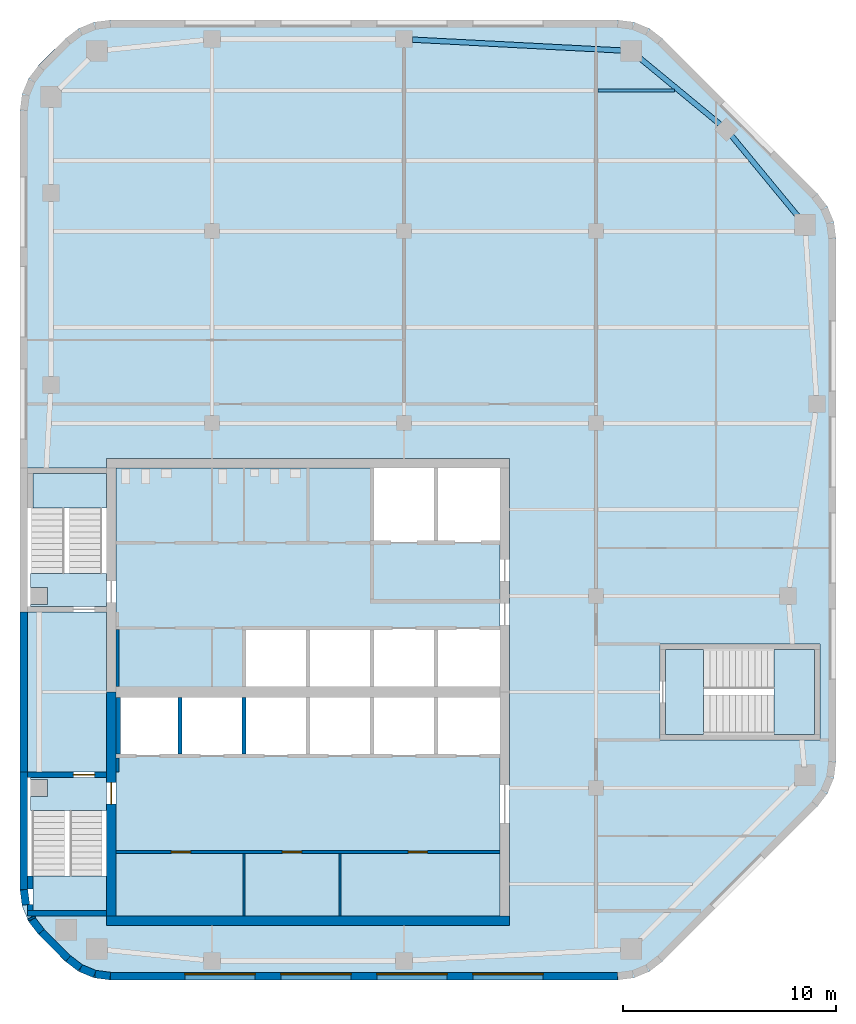
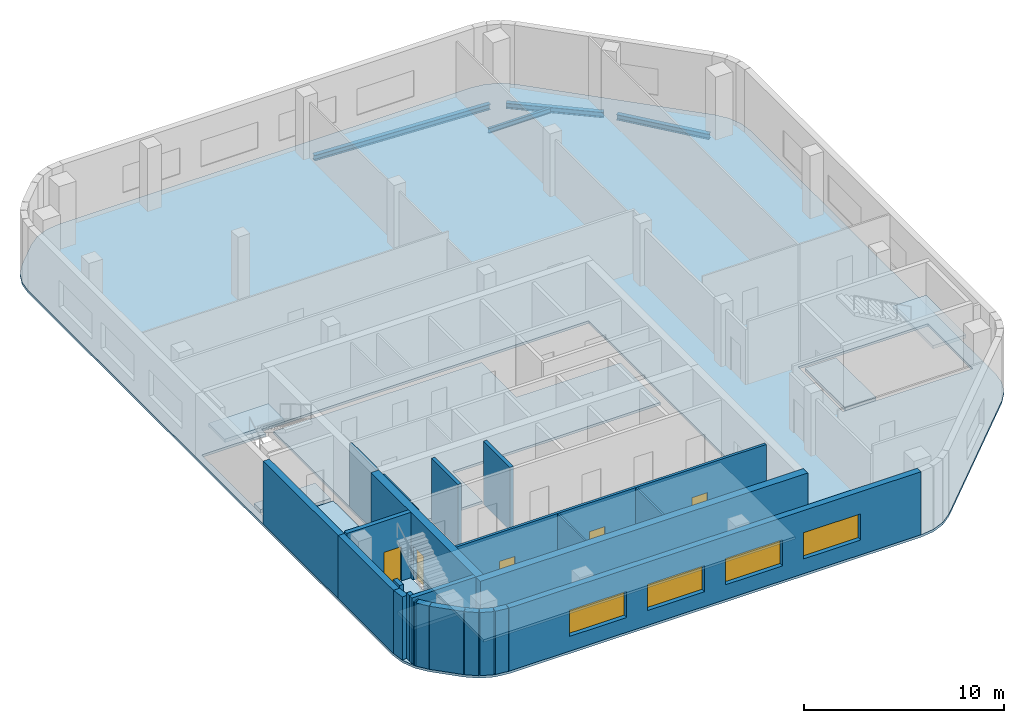
# One storey, part 2 of 7: 24 walls, 9 slabs, 5 doors, 4 beams, 4 windows, 9 openings, 3 elements without a shape of their own.
"""IFC4 building model written with IfcOpenShell, lengths in metres."""

from ifc_helpers import new_model, si_unit, direction, frame, frame_2d, origin, origin_2d, place, context, subcontext, project, spatial, polyline, rectangle, i_section, outline, extrude, material, layer, layer_set, material_profile, profile_set, type_object, element, fill, aggregate, save


model = new_model("IFC4")

# Units and contexts
model_context = context("Model", 3, precision=1e-05, world=origin(), true_north=direction((0.0, 1.0)))
body_context = subcontext(model_context, "Body", "Model", "MODEL_VIEW")
ifc_project = project(units=[si_unit("LENGTHUNIT", "METRE"), si_unit("AREAUNIT", "SQUARE_METRE"), si_unit("VOLUMEUNIT", "CUBIC_METRE"), si_unit("PLANEANGLEUNIT", "RADIAN"), si_unit("MASSUNIT", "GRAM", prefix="KILO")], contexts=[model_context])

# Site, building, storey
site_placement = place(None, origin())
site = spatial("IfcSite", under=ifc_project, at=site_placement, CompositionType="ELEMENT")
building_placement = place(site_placement, origin())
building = spatial("IfcBuilding", under=site, at=building_placement, Name="Cinnabar Reach Civic Tower", CompositionType="ELEMENT")
storey_placement = place(building_placement, frame((0.0, 0.0, 251.0)))
storey = spatial("IfcBuildingStorey", under=building, at=storey_placement, Name="L60", CompositionType="ELEMENT", Elevation=251.0)

# Beams
ifc_material_1 = material(Name="Steel Q355B", Category="steel")
ifc_material_profile_1 = material_profile(ifc_material_1, i_section(OverallWidth=0.25, OverallDepth=0.34, WebThickness=0.009, FlangeThickness=0.014, FilletRadius=0.013, at=origin_2d()), Name="HM340x250x9x14")
ifc_profile_set_1 = profile_set([ifc_material_profile_1], Name="Steel Q355B")
beam_type_1 = type_object("IfcBeamType", Name="HM340x250x9x14 beam R 180", PredefinedType="BEAM", material=ifc_profile_set_1)
for number, where, z_axis, x_axis, name in (
    (1, (36.4818, 53.7801, -0.32), (-0.636303312762, 0.771438976309, 0.0), (-0.771438976309, -0.636303312762, 0.0), "Edge beam T1 L60 9"),
    (2, (32.8486, 58.0822, -0.32), (-0.771438976309, 0.636303312762, 0.0), (-0.636303312762, -0.771438976309, 0.0), "Edge beam T1 L60 10"),
):
    element("IfcBeam", number, at=place(storey_placement, frame(where, z_axis=z_axis, x_axis=x_axis)), inside=storey, type_object=beam_type_1, Name=name, PredefinedType="BEAM", context=body_context, shape_type="SweptSolid", body=[
        extrude(i_section(OverallWidth=0.25, OverallDepth=0.34, WebThickness=0.009, FlangeThickness=0.014, FilletRadius=0.013, at=origin_2d()), origin(), (0.0, 0.0, 1.0), 4.9498),
    ])
beam_1_placement = place(storey_placement, frame((28.2661, 61.5667, -0.32), z_axis=(-0.998653533726, 0.051876001934, 0.0), x_axis=(-0.051876001934, -0.998653533726, 0.0)))
element("IfcBeam", 3, at=beam_1_placement, inside=storey, type_object=beam_type_1, Name="Edge beam T1 L60 11", PredefinedType="BEAM", context=body_context, shape_type="SweptSolid", body=[
    extrude(i_section(OverallWidth=0.25, OverallDepth=0.34, WebThickness=0.009, FlangeThickness=0.014, FilletRadius=0.013, at=origin_2d()), origin(), (0.0, 0.0, 1.0), 9.8774),
])
ifc_material_profile_2 = material_profile(ifc_material_1, i_section(OverallWidth=0.15, OverallDepth=0.3, WebThickness=0.0065, FlangeThickness=0.009, FilletRadius=0.013, at=origin_2d()), Name="HN300x150x6.5x9")
ifc_profile_set_2 = profile_set([ifc_material_profile_2], Name="Steel Q355B")
beam_type_2 = type_object("IfcBeamType", Name="HN300x150x6.5x9 beam R 180", PredefinedType="BEAM", material=ifc_profile_set_2)
beam_2_placement = place(storey_placement, frame((27.102, 59.7, -0.3), z_axis=(1.0, 0.0, 0.0), x_axis=(0.0, 1.0, 0.0)))
element("IfcBeam", 4, at=beam_2_placement, inside=storey, type_object=beam_type_2, Name="Secondary beam T1 L60 19", PredefinedType="BEAM", context=body_context, shape_type="SweptSolid", body=[
    extrude(i_section(OverallWidth=0.15, OverallDepth=0.3, WebThickness=0.0065, FlangeThickness=0.009, FilletRadius=0.013, at=origin_2d()), origin(), (0.0, 0.0, 1.0), 3.5856),
])

# Slab
ifc_material_2 = material(Name="Concrete C40", Category="concrete")
ifc_layer_1 = layer(ifc_material_2, 0.15)
ifc_layer_set_1 = layer_set([ifc_layer_1], Name="Composite floor slab 150 REI 150")
slab_type_1 = type_object("IfcSlabType", Name="Composite floor slab 150 REI 150", PredefinedType="FLOOR", material=ifc_layer_set_1)
slab_1_placement = place(storey_placement, frame((0.0, 0.0, -0.15)))
element("IfcSlab", 5, at=slab_1_placement, inside=storey, type_object=slab_type_1, Name="Composite floor slab 150 T1 L60", PredefinedType="FLOOR", context=body_context, shape_type="SweptSolid", body=[
    extrude(outline(polyline([(0.8787, 20.1213), (0.4019, 20.7426), (0.1022, 21.4662), (0.0, 22.2426), (0.0, 58.7574), (0.1022, 59.5338), (0.4019, 60.2574), (0.8787, 60.8787), (2.1213, 62.1213), (2.7426, 62.5981), (3.4662, 62.8978), (4.2426, 63.0), (28.0074, 63.0), (28.7838, 62.8978), (29.5074, 62.5981), (30.1287, 62.1213), (37.3713, 54.8787), (37.8481, 54.2574), (38.1478, 53.5338), (38.25, 52.7574), (38.25, 28.2426), (38.1478, 27.4662), (37.8481, 26.7426), (37.3713, 26.1213), (30.1287, 18.8787), (29.5074, 18.4019), (28.7838, 18.1022), (28.0074, 18.0), (4.2426, 18.0), (3.4662, 18.1022), (2.7426, 18.4019), (2.1213, 18.8787), (0.8787, 20.1213)]), holes=[polyline([(0.685, 21.0), (4.05, 21.0), (4.05, 20.55), (22.95, 20.55), (22.95, 42.45), (4.05, 42.45), (4.05, 42.0), (0.36, 42.0), (0.36, 35.25), (4.05, 35.25), (4.05, 27.75), (0.36, 27.75), (0.36, 22.2662), (0.453, 21.5602), (0.685, 21.0)]), polyline([(30.0, 33.75), (30.0, 29.25), (37.5, 29.25), (37.5, 33.75), (30.0, 33.75)])]), origin(), (0.0, 0.0, 1.0), 0.15),
])

# Stair, slabs
ifc_material_3 = material(Name="Concrete C40/50", Category="concrete")
stair_type = type_object("IfcStairType", Name="T1 Exit stair, half-turn", PredefinedType="HALF_TURN_STAIR", material=ifc_material_3)
stair_1_placement = place(storey_placement, origin())
stair_1 = element("IfcStair", 6, at=stair_1_placement, inside=storey, type_object=stair_type, Name="Stair T1-S1", PredefinedType="HALF_TURN_STAIR")
ifc_layer_2 = layer(ifc_material_3, 0.2)
ifc_layer_set_2 = layer_set([ifc_layer_2], Name="T1 Stair landing 200, Concrete C40/50")
slab_type_2 = type_object("IfcSlabType", Name="T1 Stair landing 200, Concrete C40/50", PredefinedType="LANDING", material=ifc_layer_set_2)
slab_2_placement = place(storey_placement, frame((0.0, 0.0, -0.2)))
slab_2 = element("IfcSlab", 7, at=slab_2_placement, type_object=slab_type_2, Name="T1-S1 landing 1", PredefinedType="LANDING", context=body_context, shape_type="SweptSolid", body=[
    extrude(outline(polyline([(0.5, 27.5), (4.05, 27.5), (4.05, 25.95), (0.5, 25.95), (0.5, 26.6), (1.3, 26.6), (1.3, 27.4), (0.5, 27.4), (0.5, 27.5)])), origin(), (0.0, 0.0, 1.0), 0.2),
])
slab_3_placement = place(storey_placement, frame((0.0, 0.0, 1.8)))
slab_3 = element("IfcSlab", 8, at=slab_3_placement, type_object=slab_type_2, Name="T1-S1 landing 2", PredefinedType="LANDING", context=body_context, shape_type="SweptSolid", body=[
    extrude(outline(polyline([(0.6, 21.25), (0.6, 22.87), (4.05, 22.87), (4.05, 21.25), (0.6, 21.25)])), origin(), (0.0, 0.0, 1.0), 0.2),
])
aggregate(stair_1, [slab_2, slab_3])

stair_2_placement = place(storey_placement, origin())
stair_2 = element("IfcStair", 9, at=stair_2_placement, inside=storey, type_object=stair_type, Name="Stair T1-S2", PredefinedType="HALF_TURN_STAIR")
slab_4_placement = place(storey_placement, frame((0.0, 0.0, -0.2)))
slab_4 = element("IfcSlab", 10, at=slab_4_placement, type_object=slab_type_2, Name="T1-S2 landing 1", PredefinedType="LANDING", context=body_context, shape_type="SweptSolid", body=[
    extrude(outline(polyline([(0.5, 37.05), (4.05, 37.05), (4.05, 35.5), (0.5, 35.5), (0.5, 35.6), (1.3, 35.6), (1.3, 36.4), (0.5, 36.4), (0.5, 37.05)])), origin(), (0.0, 0.0, 1.0), 0.2),
])
slab_5_placement = place(storey_placement, frame((0.0, 0.0, 1.8)))
slab_5 = element("IfcSlab", 11, at=slab_5_placement, type_object=slab_type_2, Name="T1-S2 landing 2", PredefinedType="LANDING", context=body_context, shape_type="SweptSolid", body=[
    extrude(outline(polyline([(0.6, 40.13), (0.6, 41.75), (4.05, 41.75), (4.05, 40.13), (0.6, 40.13)])), origin(), (0.0, 0.0, 1.0), 0.2),
])
aggregate(stair_2, [slab_4, slab_5])

stair_3_placement = place(storey_placement, origin())
stair_3 = element("IfcStair", 12, at=stair_3_placement, inside=storey, type_object=stair_type, Name="Stair T1-S3", PredefinedType="HALF_TURN_STAIR")
slab_6_placement = place(storey_placement, frame((0.0, 0.0, -0.2)))
slab_6 = element("IfcSlab", 13, at=slab_6_placement, type_object=slab_type_2, Name="T1-S3 landing 1", PredefinedType="LANDING", context=body_context, shape_type="SweptSolid", body=[
    extrude(outline(polyline([(30.25, 29.5), (32.05, 29.5), (32.05, 33.5), (30.25, 33.5), (30.25, 29.5)])), origin(), (0.0, 0.0, 1.0), 0.2),
])
slab_7_placement = place(storey_placement, frame((0.0, 0.0, 1.8)))
slab_7 = element("IfcSlab", 14, at=slab_7_placement, type_object=slab_type_2, Name="T1-S3 landing 2", PredefinedType="LANDING", context=body_context, shape_type="SweptSolid", body=[
    extrude(outline(polyline([(35.35, 29.5), (37.25, 29.5), (37.25, 33.5), (35.35, 33.5), (35.35, 29.5)])), origin(), (0.0, 0.0, 1.0), 0.2),
])
aggregate(stair_3, [slab_6, slab_7])

# Slabs
ifc_layer_3 = layer(ifc_material_3, 0.15)
ifc_layer_set_3 = layer_set([ifc_layer_3], Name="T1 core floor slab 150")
slab_type_3 = type_object("IfcSlabType", Name="T1 core floor slab 150", PredefinedType="FLOOR", material=ifc_layer_set_3)
slab_8_placement = place(storey_placement, frame((0.0, 0.0, -0.15)))
element("IfcSlab", 15, at=slab_8_placement, inside=storey, type_object=slab_type_3, Name="Core floor slab L60", PredefinedType="FLOOR", context=body_context, shape_type="SweptSolid", body=[
    extrude(outline(polyline([(22.5, 21.0), (4.5, 21.0), (4.5, 28.5), (7.5, 28.5), (10.5, 28.5), (13.5, 28.5), (16.5, 28.5), (19.5, 28.5), (22.5, 28.5), (22.5, 21.0)])), origin(), (0.0, 0.0, 1.0), 0.15),
])
slab_9_placement = place(storey_placement, frame((0.0, 0.0, -0.15)))
element("IfcSlab", 16, at=slab_9_placement, inside=storey, type_object=slab_type_3, Name="Core floor slab L60", PredefinedType="FLOOR", context=body_context, shape_type="SweptSolid", body=[
    extrude(outline(polyline([(22.5, 34.5), (19.5, 34.5), (16.5, 34.5), (13.5, 34.5), (10.5, 34.5), (10.5, 31.5), (7.5, 31.5), (4.5, 31.5), (4.5, 42.0), (16.5, 42.0), (16.5, 38.5), (19.5, 38.5), (22.5, 38.5), (22.5, 34.5)])), origin(), (0.0, 0.0, 1.0), 0.15),
])

# Walls
ifc_material_4 = material(Name="Facing brick with insulated backing", Category="masonry")
ifc_layer_4 = layer(ifc_material_4, 0.36)
ifc_layer_set_4 = layer_set([ifc_layer_4], Name="Brick corner wall")
wall_type_1 = type_object("IfcWallType", Name="Brick corner wall", PredefinedType="STANDARD", material=ifc_layer_set_4)
wall_1_placement = place(storey_placement, frame((0.183, 22.2314, 0.0), z_axis=(0.0, 0.0, 1.0), x_axis=(0.13055608231, -0.99144092581, 0.0)))
element("IfcWall", 17, at=wall_1_placement, inside=storey, type_object=wall_type_1, Name="Brick corner wall", PredefinedType="STANDARD", context=body_context, shape_type="SweptSolid", body=[
    extrude(rectangle(XDim=0.7131, YDim=0.36, at=frame_2d((0.3565, 0.0))), origin(), (0.0, 0.0, 1.0), 3.85),
])
wall_2_placement = place(storey_placement, frame((0.5206, 20.9265, 0.0), z_axis=(0.0, 0.0, 1.0), x_axis=(0.382549378284, -0.923935048136, 0.0)))
element("IfcWall", 18, at=wall_2_placement, inside=storey, type_object=wall_type_1, Name="Brick corner wall", PredefinedType="STANDARD", context=body_context, shape_type="SweptSolid", body=[
    extrude(rectangle(XDim=0.0894, YDim=0.36, at=frame_2d((0.0447, 0.0))), origin(), (0.0, 0.0, 1.0), 3.85),
])
for number, where, z_axis, x_axis, name in (
    (19, (0.566, 20.8245, 0.0), (0.0, 0.0, 1.0), (0.608802368033, -0.793321924995, 0.0), "Brick corner wall"),
    (20, (2.2587, 19.0002, 0.0), (0.0, 0.0, 1.0), (0.793321924995, -0.608802368033, 0.0), "Brick corner wall"),
):
    element("IfcWall", number, at=place(storey_placement, frame(where, z_axis=z_axis, x_axis=x_axis)), inside=storey, type_object=wall_type_1, Name=name, PredefinedType="STANDARD", context=body_context, shape_type="SweptSolid", body=[
        extrude(rectangle(XDim=0.7132, YDim=0.36, at=frame_2d((0.3566, 0.0))), origin(), (0.0, 0.0, 1.0), 3.85),
    ])
for number, where, z_axis, x_axis, name in (
    (21, (2.8439, 18.5548, 0.0), (0.0, 0.0, 1.0), (0.923871547278, -0.382702709855, 0.0), "Brick corner wall"),
    (22, (3.5244, 18.2761, 0.0), (0.0, 0.0, 1.0), (0.99144092581, -0.13055608231, 0.0), "Brick corner wall"),
):
    element("IfcWall", number, at=place(storey_placement, frame(where, z_axis=z_axis, x_axis=x_axis)), inside=storey, type_object=wall_type_1, Name=name, PredefinedType="STANDARD", context=body_context, shape_type="SweptSolid", body=[
        extrude(rectangle(XDim=0.7131, YDim=0.36, at=frame_2d((0.3565, 0.0))), origin(), (0.0, 0.0, 1.0), 3.85),
    ])

# Wall, openings, windows
ifc_layer_5 = layer(ifc_material_4, 0.36)
ifc_layer_set_5 = layer_set([ifc_layer_5], Name="Brick pier and spandrel wall")
wall_type_2 = type_object("IfcWallType", Name="Brick pier and spandrel wall", PredefinedType="STANDARD", material=ifc_layer_set_5)
wall_3_placement = place(storey_placement, frame((4.2426, 18.18, 0.0), z_axis=(0.0, 0.0, 1.0), x_axis=(1.0, 0.0, 0.0)))
wall_3 = element("IfcWall", 23, at=wall_3_placement, inside=storey, type_object=wall_type_2, Name="Brick facade wall", PredefinedType="STANDARD", context=body_context, shape_type="SweptSolid", body=[
    extrude(rectangle(XDim=23.7648, YDim=0.36, at=frame_2d((11.8824, 0.0))), origin(), (0.0, 0.0, 1.0), 3.85),
])
opening_1_placement = place(wall_3_placement, frame((3.4824, 0.0, 0.9)))
opening_1 = element("IfcOpeningElement", 24, at=opening_1_placement, cuts=wall_3, Name="Opening W2194", PredefinedType="OPENING", context=body_context, shape_type="SweptSolid", body=[
    extrude(rectangle(XDim=3.3, YDim=1.6, at=frame_2d((1.65, 0.8))), frame((0.0, 0.19, 0.0), z_axis=(0.0, -1.0, 0.0), x_axis=(1.0, 0.0, 0.0)), (0.0, 0.0, 1.0), 0.38),
])
opening_2_placement = place(wall_3_placement, frame((7.9824, 0.0, 0.9)))
opening_2 = element("IfcOpeningElement", 25, at=opening_2_placement, cuts=wall_3, Name="Opening W2195", PredefinedType="OPENING", context=body_context, shape_type="SweptSolid", body=[
    extrude(rectangle(XDim=3.3, YDim=1.6, at=frame_2d((1.65, 0.8))), frame((0.0, 0.19, 0.0), z_axis=(0.0, -1.0, 0.0), x_axis=(1.0, 0.0, 0.0)), (0.0, 0.0, 1.0), 0.38),
])
opening_3_placement = place(wall_3_placement, frame((12.4824, 0.0, 0.9)))
opening_3 = element("IfcOpeningElement", 26, at=opening_3_placement, cuts=wall_3, Name="Opening W2196", PredefinedType="OPENING", context=body_context, shape_type="SweptSolid", body=[
    extrude(rectangle(XDim=3.3, YDim=1.6, at=frame_2d((1.65, 0.8))), frame((0.0, 0.19, 0.0), z_axis=(0.0, -1.0, 0.0), x_axis=(1.0, 0.0, 0.0)), (0.0, 0.0, 1.0), 0.38),
])
opening_4_placement = place(wall_3_placement, frame((16.9824, 0.0, 0.9)))
opening_4 = element("IfcOpeningElement", 27, at=opening_4_placement, cuts=wall_3, Name="Opening W2197", PredefinedType="OPENING", context=body_context, shape_type="SweptSolid", body=[
    extrude(rectangle(XDim=3.3, YDim=1.6, at=frame_2d((1.65, 0.8))), frame((0.0, 0.19, 0.0), z_axis=(0.0, -1.0, 0.0), x_axis=(1.0, 0.0, 0.0)), (0.0, 0.0, 1.0), 0.38),
])
ifc_material_5 = material(Name="Clear double glazing in aluminium frame", Category="aluminium")
window_type = type_object("IfcWindowType", Name="Deep-set window A", PartitioningType="SINGLE_PANEL", PredefinedType="WINDOW", material=ifc_material_5)
window_1_placement = place(opening_1_placement, origin())
window_1 = element("IfcWindow", 28, at=window_1_placement, inside=storey, type_object=window_type, Name="Window south face", OverallHeight=1.6, OverallWidth=3.3, PartitioningType="SINGLE_PANEL", PredefinedType="WINDOW", context=body_context, shape_type="SweptSolid", body=[
    extrude(rectangle(XDim=3.3, YDim=1.6, at=frame_2d((1.65, 0.8))), frame((0.0, 0.13, 0.0), z_axis=(0.0, -1.0, 0.0), x_axis=(1.0, 0.0, 0.0)), (0.0, 0.0, 1.0), 0.06),
])
fill(opening_1, window_1)
window_2_placement = place(opening_2_placement, origin())
window_2 = element("IfcWindow", 29, at=window_2_placement, inside=storey, type_object=window_type, Name="Window south face", OverallHeight=1.6, OverallWidth=3.3, PartitioningType="SINGLE_PANEL", PredefinedType="WINDOW", context=body_context, shape_type="SweptSolid", body=[
    extrude(rectangle(XDim=3.3, YDim=1.6, at=frame_2d((1.65, 0.8))), frame((0.0, 0.13, 0.0), z_axis=(0.0, -1.0, 0.0), x_axis=(1.0, 0.0, 0.0)), (0.0, 0.0, 1.0), 0.06),
])
fill(opening_2, window_2)
window_3_placement = place(opening_3_placement, origin())
window_3 = element("IfcWindow", 30, at=window_3_placement, inside=storey, type_object=window_type, Name="Window south face", OverallHeight=1.6, OverallWidth=3.3, PartitioningType="SINGLE_PANEL", PredefinedType="WINDOW", context=body_context, shape_type="SweptSolid", body=[
    extrude(rectangle(XDim=3.3, YDim=1.6, at=frame_2d((1.65, 0.8))), frame((0.0, 0.13, 0.0), z_axis=(0.0, -1.0, 0.0), x_axis=(1.0, 0.0, 0.0)), (0.0, 0.0, 1.0), 0.06),
])
fill(opening_3, window_3)
window_4_placement = place(opening_4_placement, origin())
window_4 = element("IfcWindow", 31, at=window_4_placement, inside=storey, type_object=window_type, Name="Window south face", OverallHeight=1.6, OverallWidth=3.3, PartitioningType="SINGLE_PANEL", PredefinedType="WINDOW", context=body_context, shape_type="SweptSolid", body=[
    extrude(rectangle(XDim=3.3, YDim=1.6, at=frame_2d((1.65, 0.8))), frame((0.0, 0.13, 0.0), z_axis=(0.0, -1.0, 0.0), x_axis=(1.0, 0.0, 0.0)), (0.0, 0.0, 1.0), 0.06),
])
fill(opening_4, window_4)

# Walls
wall_4_placement = place(storey_placement, frame((0.18, 35.25, 0.0), z_axis=(0.0, 0.0, 1.0), x_axis=(0.0, -1.0, 0.0)))
element("IfcWall", 32, at=wall_4_placement, inside=storey, type_object=wall_type_2, Name="Brick facade wall", PredefinedType="STANDARD", context=body_context, shape_type="SweptSolid", body=[
    extrude(rectangle(XDim=7.5, YDim=0.36, at=frame_2d((3.75, 0.0))), origin(), (0.0, 0.0, 1.0), 3.85),
])
wall_5_placement = place(storey_placement, frame((0.18, 27.75, 0.0), z_axis=(0.0, 0.0, 1.0), x_axis=(0.0, -1.0, 0.0)))
element("IfcWall", 33, at=wall_5_placement, inside=storey, type_object=wall_type_2, Name="Brick facade wall", PredefinedType="STANDARD", context=body_context, shape_type="SweptSolid", body=[
    extrude(rectangle(XDim=5.5074, YDim=0.36, at=frame_2d((2.7537, 0.0))), origin(), (0.0, 0.0, 1.0), 3.85),
])
wall_6_placement = place(storey_placement, frame((1.006, 20.2486, 0.0), z_axis=(0.0, 0.0, 1.0), x_axis=(0.707106781187, -0.707106781187, 0.0)))
element("IfcWall", 34, at=wall_6_placement, inside=storey, type_object=wall_type_2, Name="Brick facade wall", PredefinedType="STANDARD", context=body_context, shape_type="SweptSolid", body=[
    extrude(rectangle(XDim=1.7573, YDim=0.36, at=frame_2d((0.8787, 0.0))), origin(), (0.0, 0.0, 1.0), 3.85),
])
ifc_material_6 = material(Name="Concrete C60", Category="concrete")
ifc_layer_6 = layer(ifc_material_6, 0.45)
ifc_layer_set_6 = layer_set([ifc_layer_6], Name="Core wall 450 EI 180")
wall_type_3 = type_object("IfcWallType", Name="Core wall 450 EI 180", PredefinedType="SOLIDWALL", material=ifc_layer_set_6)
wall_7_placement = place(storey_placement, frame((4.05, 20.775, 0.0), z_axis=(0.0, 0.0, 1.0), x_axis=(1.0, 0.0, 0.0)))
element("IfcWall", 35, at=wall_7_placement, inside=storey, type_object=wall_type_3, Name="Core wall T1 L60 S", PredefinedType="SOLIDWALL", context=body_context, shape_type="SweptSolid", body=[
    extrude(rectangle(XDim=18.9, YDim=0.45, at=frame_2d((9.45, 0.0))), origin(), (0.0, 0.0, 1.0), 4.0),
])

# Wall, opening, door
wall_8_placement = place(storey_placement, frame((4.275, 31.5, 0.0), z_axis=(0.0, 0.0, 1.0), x_axis=(0.0, -1.0, 0.0)))
wall_8 = element("IfcWall", 36, at=wall_8_placement, inside=storey, type_object=wall_type_3, Name="Core wall T1 L60 W2", PredefinedType="SOLIDWALL", context=body_context, shape_type="SweptSolid", body=[
    extrude(rectangle(XDim=10.5, YDim=0.45, at=frame_2d((5.25, 0.0))), origin(), (0.0, 0.0, 1.0), 4.0),
])
opening_5_placement = place(wall_8_placement, frame((4.25, 0.0, 0.0)))
opening_5 = element("IfcOpeningElement", 37, at=opening_5_placement, cuts=wall_8, Name="Opening D5407", PredefinedType="OPENING", context=body_context, shape_type="SweptSolid", body=[
    extrude(rectangle(XDim=1.0, YDim=2.1, at=frame_2d((0.5, 1.05))), frame((0.0, 0.235, 0.0), z_axis=(0.0, -1.0, 0.0), x_axis=(1.0, 0.0, 0.0)), (0.0, 0.0, 1.0), 0.47),
])
ifc_material_7 = material(Name="Timber door leaf in steel frame", Category="steel")
door_type_1 = type_object("IfcDoorType", Name="Stair door 1000 x 2100 T1", OperationType="SINGLE_SWING_LEFT", PredefinedType="DOOR", material=ifc_material_7)
door_1_placement = place(opening_5_placement, frame((1.0, 0.0, 0.0), z_axis=(0.0, 0.0, 1.0), x_axis=(-1.0, 0.0, 0.0)))
door_1 = element("IfcDoor", 38, at=door_1_placement, inside=storey, type_object=door_type_1, Name="Door D5407", OperationType="SINGLE_SWING_RIGHT", OverallHeight=2.1, OverallWidth=1.0, PredefinedType="DOOR", context=body_context, shape_type="SweptSolid", body=[
    extrude(rectangle(XDim=1.0, YDim=2.1, at=frame_2d((0.5, 1.05))), frame((0.0, 0.025, 0.0), z_axis=(0.0, -1.0, 0.0), x_axis=(1.0, 0.0, 0.0)), (0.0, 0.0, 1.0), 0.05),
])
fill(opening_5, door_1)

# Wall, openings, doors
ifc_material_8 = material(Name="Gypsum board on steel studs, double layer", Category="steel")
ifc_layer_7 = layer(ifc_material_8, 0.15)
ifc_layer_set_7 = layer_set([ifc_layer_7], Name="Corridor wall 150 T1")
wall_type_4 = type_object("IfcWallType", Name="Corridor wall 150 T1", PredefinedType="PARTITIONING", material=ifc_layer_set_7)
wall_9_placement = place(storey_placement, frame((4.5, 24.0, 0.0), z_axis=(0.0, 0.0, 1.0), x_axis=(1.0, 0.0, 0.0)))
wall_9 = element("IfcWall", 39, at=wall_9_placement, inside=storey, type_object=wall_type_4, Name="Corridor wall 19", PredefinedType="PARTITIONING", context=body_context, shape_type="SweptSolid", body=[
    extrude(rectangle(XDim=18.0, YDim=0.15, at=frame_2d((9.0, 0.0))), origin(), (0.0, 0.0, 1.0), 3.85),
])
opening_6_placement = place(wall_9_placement, frame((2.6, 0.0, 0.0)))
opening_6 = element("IfcOpeningElement", 40, at=opening_6_placement, cuts=wall_9, Name="Opening D5425", PredefinedType="OPENING", context=body_context, shape_type="SweptSolid", body=[
    extrude(rectangle(XDim=0.9, YDim=2.1, at=frame_2d((0.45, 1.05))), frame((0.0, 0.085, 0.0), z_axis=(0.0, -1.0, 0.0), x_axis=(1.0, 0.0, 0.0)), (0.0, 0.0, 1.0), 0.17),
])
opening_7_placement = place(wall_9_placement, frame((7.8, 0.0, 0.0)))
opening_7 = element("IfcOpeningElement", 41, at=opening_7_placement, cuts=wall_9, Name="Opening D5426", PredefinedType="OPENING", context=body_context, shape_type="SweptSolid", body=[
    extrude(rectangle(XDim=0.9, YDim=2.1, at=frame_2d((0.45, 1.05))), frame((0.0, 0.085, 0.0), z_axis=(0.0, -1.0, 0.0), x_axis=(1.0, 0.0, 0.0)), (0.0, 0.0, 1.0), 0.17),
])
opening_8_placement = place(wall_9_placement, frame((13.7, 0.0, 0.0)))
opening_8 = element("IfcOpeningElement", 42, at=opening_8_placement, cuts=wall_9, Name="Opening D5427", PredefinedType="OPENING", context=body_context, shape_type="SweptSolid", body=[
    extrude(rectangle(XDim=0.9, YDim=2.1, at=frame_2d((0.45, 1.05))), frame((0.0, 0.085, 0.0), z_axis=(0.0, -1.0, 0.0), x_axis=(1.0, 0.0, 0.0)), (0.0, 0.0, 1.0), 0.17),
])
door_type_2 = type_object("IfcDoorType", Name="Single swing door 900 x 2100 corridor T1", OperationType="SINGLE_SWING_LEFT", PredefinedType="DOOR", material=ifc_material_7)
door_2_placement = place(opening_6_placement, frame((0.9, 0.0, 0.0), z_axis=(0.0, 0.0, 1.0), x_axis=(-1.0, 0.0, 0.0)))
door_2 = element("IfcDoor", 43, at=door_2_placement, inside=storey, type_object=door_type_2, Name="Door D5425", OperationType="SINGLE_SWING_LEFT", OverallHeight=2.1, OverallWidth=0.9, PredefinedType="DOOR", context=body_context, shape_type="SweptSolid", body=[
    extrude(rectangle(XDim=0.9, YDim=2.1, at=frame_2d((0.45, 1.05))), frame((0.0, 0.025, 0.0), z_axis=(0.0, -1.0, 0.0), x_axis=(1.0, 0.0, 0.0)), (0.0, 0.0, 1.0), 0.05),
])
fill(opening_6, door_2)
door_3_placement = place(opening_7_placement, frame((0.9, 0.0, 0.0), z_axis=(0.0, 0.0, 1.0), x_axis=(-1.0, 0.0, 0.0)))
door_3 = element("IfcDoor", 44, at=door_3_placement, inside=storey, type_object=door_type_2, Name="Door D5426", OperationType="SINGLE_SWING_LEFT", OverallHeight=2.1, OverallWidth=0.9, PredefinedType="DOOR", context=body_context, shape_type="SweptSolid", body=[
    extrude(rectangle(XDim=0.9, YDim=2.1, at=frame_2d((0.45, 1.05))), frame((0.0, 0.025, 0.0), z_axis=(0.0, -1.0, 0.0), x_axis=(1.0, 0.0, 0.0)), (0.0, 0.0, 1.0), 0.05),
])
fill(opening_7, door_3)
door_4_placement = place(opening_8_placement, frame((0.9, 0.0, 0.0), z_axis=(0.0, 0.0, 1.0), x_axis=(-1.0, 0.0, 0.0)))
door_4 = element("IfcDoor", 45, at=door_4_placement, inside=storey, type_object=door_type_2, Name="Door D5427", OperationType="SINGLE_SWING_RIGHT", OverallHeight=2.1, OverallWidth=0.9, PredefinedType="DOOR", context=body_context, shape_type="SweptSolid", body=[
    extrude(rectangle(XDim=0.9, YDim=2.1, at=frame_2d((0.45, 1.05))), frame((0.0, 0.025, 0.0), z_axis=(0.0, -1.0, 0.0), x_axis=(1.0, 0.0, 0.0)), (0.0, 0.0, 1.0), 0.05),
])
fill(opening_8, door_4)

# Walls
wall_10_placement = place(storey_placement, frame((4.575, 31.75, 0.0), z_axis=(0.0, 0.0, 1.0), x_axis=(0.0, 1.0, 0.0)))
element("IfcWall", 46, at=wall_10_placement, inside=storey, type_object=wall_type_4, Name="Corridor wall 29", PredefinedType="PARTITIONING", context=body_context, shape_type="SweptSolid", body=[
    extrude(rectangle(XDim=2.675, YDim=0.15, at=frame_2d((1.3375, 0.0))), origin(), (0.0, 0.0, 1.0), 3.85),
])
wall_11_placement = place(storey_placement, frame((4.575, 27.75, 0.0), z_axis=(0.0, 0.0, 1.0), x_axis=(0.0, 1.0, 0.0)))
element("IfcWall", 47, at=wall_11_placement, inside=storey, type_object=wall_type_4, Name="Corridor wall 32", PredefinedType="PARTITIONING", context=body_context, shape_type="SweptSolid", body=[
    extrude(rectangle(XDim=0.65, YDim=0.15, at=frame_2d((0.325, 0.0))), origin(), (0.0, 0.0, 1.0), 3.85),
])
ifc_material_9 = material(Name="Blockwork", Category="masonry")
ifc_layer_8 = layer(ifc_material_9, 0.2)
ifc_layer_set_8 = layer_set([ifc_layer_8], Name="Lift shaft wall 200 T1")
wall_type_5 = type_object("IfcWallType", Name="Lift shaft wall 200 T1", PredefinedType="PARTITIONING", material=ifc_layer_set_8)
for number, where, z_axis, x_axis, name in (
    (48, (10.5, 28.6, 0.0), (0.0, 0.0, 1.0), (0.0, 1.0, 0.0), "Lift shaft wall 6"),
    (49, (4.6, 28.6, 0.0), (0.0, 0.0, 1.0), (0.0, 1.0, 0.0), "Lift shaft wall 16"),
    (50, (7.5, 28.6, 0.0), (0.0, 0.0, 1.0), (0.0, 1.0, 0.0), "Lift shaft wall 17"),
):
    element("IfcWall", number, at=place(storey_placement, frame(where, z_axis=z_axis, x_axis=x_axis)), inside=storey, type_object=wall_type_5, Name=name, PredefinedType="PARTITIONING", context=body_context, shape_type="SweptSolid", body=[
        extrude(rectangle(XDim=2.65, YDim=0.2, at=frame_2d((1.325, 0.0))), origin(), (0.0, 0.0, 1.0), 3.85),
    ])
ifc_material_10 = material(Name="Gypsum board on steel studs", Category="steel")
ifc_layer_9 = layer(ifc_material_10, 0.1)
ifc_layer_set_9 = layer_set([ifc_layer_9], Name="Partition wall 100 T1")
wall_type_6 = type_object("IfcWallType", Name="Partition wall 100 T1", PredefinedType="PARTITIONING", material=ifc_layer_set_9)
for number, where, z_axis, x_axis, name in (
    (51, (10.5, 21.0, 0.0), (0.0, 0.0, 1.0), (0.0, 1.0, 0.0), "Partition wall 48"),
    (52, (15.0, 21.0, 0.0), (0.0, 0.0, 1.0), (0.0, 1.0, 0.0), "Partition wall 49"),
):
    element("IfcWall", number, at=place(storey_placement, frame(where, z_axis=z_axis, x_axis=x_axis)), inside=storey, type_object=wall_type_6, Name=name, PredefinedType="PARTITIONING", context=body_context, shape_type="SweptSolid", body=[
        extrude(rectangle(XDim=2.925, YDim=0.1, at=frame_2d((1.4625, 0.0))), origin(), (0.0, 0.0, 1.0), 3.85),
    ])
ifc_layer_10 = layer(ifc_material_6, 0.25)
ifc_layer_set_10 = layer_set([ifc_layer_10], Name="Stair shaft wall 250 EI 120")
wall_type_7 = type_object("IfcWallType", Name="Stair shaft wall 250 EI 120", PredefinedType="SOLIDWALL", material=ifc_layer_set_10)
wall_12_placement = place(storey_placement, frame((0.36, 21.125, 0.0), z_axis=(0.0, 0.0, 1.0), x_axis=(1.0, 0.0, 0.0)))
element("IfcWall", 53, at=wall_12_placement, inside=storey, type_object=wall_type_7, Name="Stair shaft wall T1-S1 L60", PredefinedType="SOLIDWALL", context=body_context, shape_type="SweptSolid", body=[
    extrude(rectangle(XDim=3.69, YDim=0.25, at=frame_2d((1.845, 0.0))), origin(), (0.0, 0.0, 1.0), 4.0),
])

# Wall, opening, door
wall_13_placement = place(storey_placement, frame((4.05, 27.625, 0.0), z_axis=(0.0, 0.0, 1.0), x_axis=(-1.0, 0.0, 0.0)))
wall_13 = element("IfcWall", 54, at=wall_13_placement, inside=storey, type_object=wall_type_7, Name="Stair shaft wall T1-S1 L60", PredefinedType="SOLIDWALL", context=body_context, shape_type="SweptSolid", body=[
    extrude(rectangle(XDim=3.69, YDim=0.25, at=frame_2d((1.845, 0.0))), origin(), (0.0, 0.0, 1.0), 4.0),
])
opening_9_placement = place(wall_13_placement, frame((0.55, 0.0, 0.0)))
opening_9 = element("IfcOpeningElement", 55, at=opening_9_placement, cuts=wall_13, Name="Opening D5408", PredefinedType="OPENING", context=body_context, shape_type="SweptSolid", body=[
    extrude(rectangle(XDim=1.0, YDim=2.1, at=frame_2d((0.5, 1.05))), frame((0.0, 0.135, 0.0), z_axis=(0.0, -1.0, 0.0), x_axis=(1.0, 0.0, 0.0)), (0.0, 0.0, 1.0), 0.27),
])
door_5_placement = place(opening_9_placement, origin())
door_5 = element("IfcDoor", 56, at=door_5_placement, inside=storey, type_object=door_type_1, Name="Door D5408", OperationType="SINGLE_SWING_LEFT", OverallHeight=2.1, OverallWidth=1.0, PredefinedType="DOOR", context=body_context, shape_type="SweptSolid", body=[
    extrude(rectangle(XDim=1.0, YDim=2.1, at=frame_2d((0.5, 1.05))), frame((0.0, 0.025, 0.0), z_axis=(0.0, -1.0, 0.0), x_axis=(1.0, 0.0, 0.0)), (0.0, 0.0, 1.0), 0.05),
])
fill(opening_9, door_5)

# Walls
ifc_layer_11 = layer(ifc_material_3, 0.24)
ifc_layer_set_11 = layer_set([ifc_layer_11], Name="T1 landing bearer wall 240")
wall_type_8 = type_object("IfcWallType", Name="T1 landing bearer wall 240", PredefinedType="STANDARD", material=ifc_layer_set_11)
wall_14_placement = place(storey_placement, frame((0.48, 21.25, 0.0), z_axis=(0.0, 0.0, 1.0), x_axis=(0.0, 1.0, 0.0)))
element("IfcWall", 57, at=wall_14_placement, inside=storey, type_object=wall_type_8, Name="T1-S1 landing bearer wall", PredefinedType="STANDARD", context=body_context, shape_type="SweptSolid", body=[
    extrude(rectangle(XDim=0.2854, YDim=0.24, at=frame_2d((0.1427, 0.0))), origin(), (0.0, 0.0, 1.0), 4.0),
])
wall_15_placement = place(storey_placement, frame((0.48, 22.2549, 0.0), z_axis=(0.0, 0.0, 1.0), x_axis=(0.0, 1.0, 0.0)))
element("IfcWall", 58, at=wall_15_placement, inside=storey, type_object=wall_type_8, Name="T1-S1 landing bearer wall", PredefinedType="STANDARD", context=body_context, shape_type="SweptSolid", body=[
    extrude(rectangle(XDim=0.6151, YDim=0.24, at=frame_2d((0.3075, 0.0))), origin(), (0.0, 0.0, 1.0), 4.0),
])

save(model, "model.ifc")
